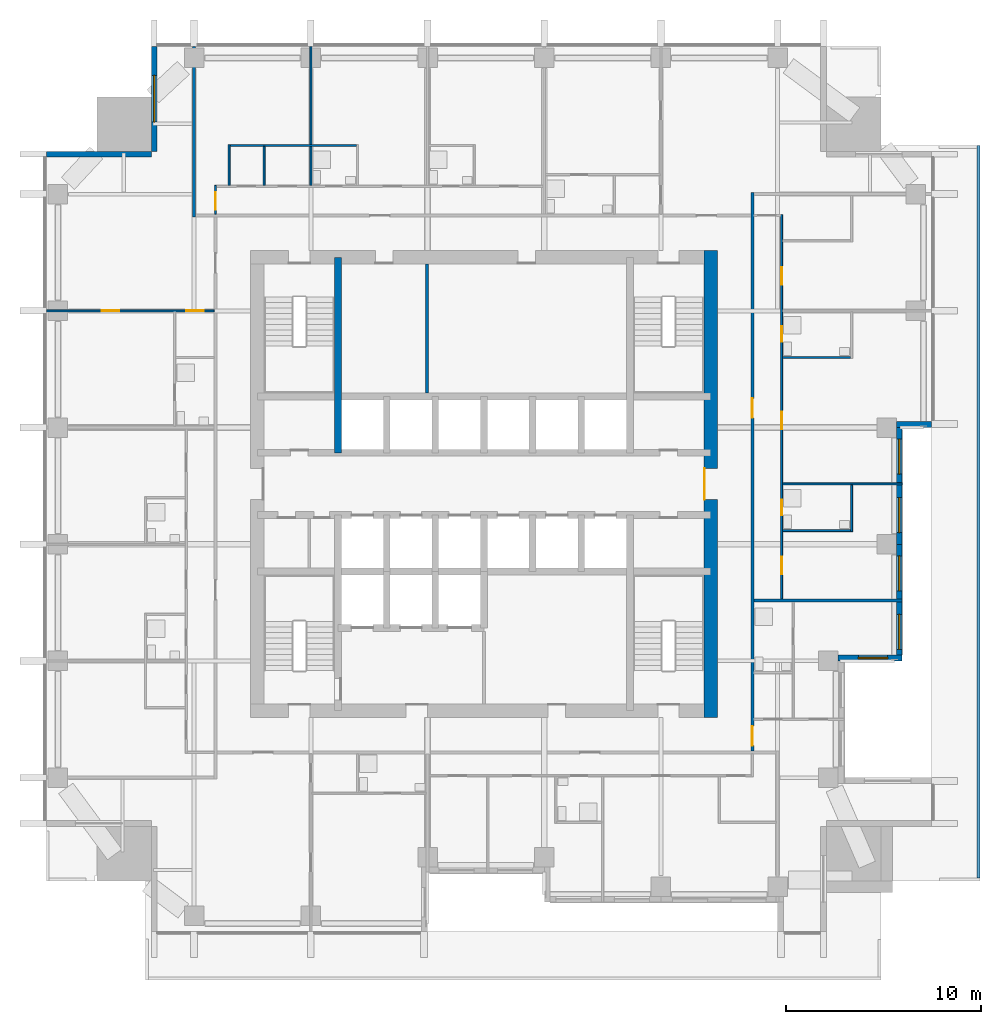
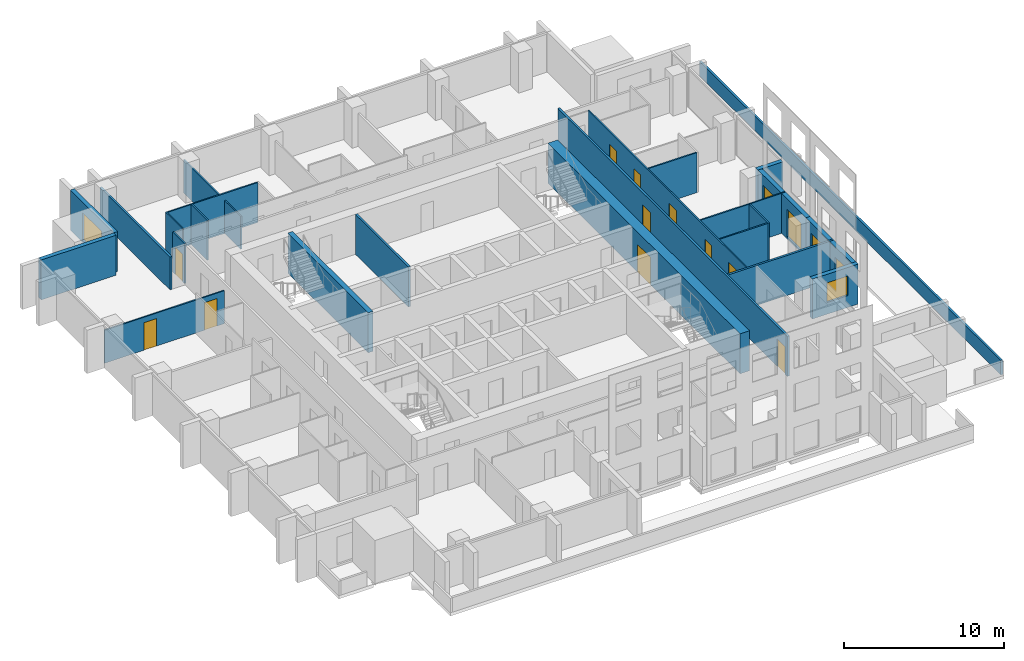
# One storey, part 7 of 14: 24 walls, 11 doors, 6 windows, 17 openings.
"""IFC4 building model written with IfcOpenShell, lengths in metres."""

from ifc_helpers import new_model, si_unit, direction, frame, frame_2d, origin, place, context, subcontext, project, spatial, rectangle, extrude, material, layer, layer_set, type_object, element, fill, save


model = new_model("IFC4")

# Units and contexts
model_context = context("Model", 3, precision=1e-05, world=origin(), true_north=direction((0.0, 1.0)))
body_context = subcontext(model_context, "Body", "Model", "MODEL_VIEW")
ifc_project = project(units=[si_unit("LENGTHUNIT", "METRE"), si_unit("AREAUNIT", "SQUARE_METRE"), si_unit("VOLUMEUNIT", "CUBIC_METRE"), si_unit("PLANEANGLEUNIT", "RADIAN"), si_unit("MASSUNIT", "GRAM", prefix="KILO")], contexts=[model_context])

# Site, building, storey
site_placement = place(None, origin())
site = spatial("IfcSite", under=ifc_project, at=site_placement, CompositionType="ELEMENT")
building_placement = place(site_placement, origin())
building = spatial("IfcBuilding", under=site, at=building_placement, Name="Amberfall Residences", CompositionType="ELEMENT")
storey_placement = place(building_placement, frame((0.0, 0.0, 133.89990234375)))
storey = spatial("IfcBuildingStorey", under=building, at=storey_placement, Name="L35", CompositionType="ELEMENT", Elevation=133.89990234375)

# Wall, opening, window
ifc_material_1 = material(Name="Pale stone cladding on insulated backing", Category="masonry")
ifc_layer_1 = layer(ifc_material_1, 0.300048828125)
ifc_layer_set_1 = layer_set([ifc_layer_1], Name="Bronze clad wall 300")
wall_type_1 = type_object("IfcWallType", Name="Bronze clad wall 300", PredefinedType="SOLIDWALL", material=ifc_layer_set_1)
wall_1_placement = place(storey_placement, frame((92.699951171875, 36.550048828125, 0.0), z_axis=(0.0, 0.0, 1.0), x_axis=(1.0, 0.0, 0.0)))
wall_1 = element("IfcWall", 1, at=wall_1_placement, inside=storey, type_object=wall_type_1, Name="External wall L35 E", PredefinedType="SOLIDWALL", context=body_context, shape_type="SweptSolid", body=[
    extrude(rectangle(XDim=3.300048828125, YDim=0.300048828125, at=frame_2d((1.64990234375, 0.0))), origin(), (0.0, 0.0, 1.0), 3.050048828125),
])
opening_1_placement = place(wall_1_placement, frame((1.050048828125, 0.0, 0.89990234375)))
opening_1 = element("IfcOpeningElement", 2, at=opening_1_placement, cuts=wall_1, Name="Opening WN1", PredefinedType="OPENING", context=body_context, shape_type="SweptSolid", body=[
    extrude(rectangle(XDim=1.5, YDim=1.5, at=frame_2d((0.75, 0.75))), frame((0.0, 0.159912109375, 0.0), z_axis=(0.0, -1.0, 0.0), x_axis=(1.0, 0.0, 0.0)), (0.0, 0.0, 1.0), 0.320068359375),
])
ifc_material_2 = material(Name="Bronze aluminium framed glazing", Category="aluminium")
window_type_1 = type_object("IfcWindowType", Name="Window 1500 x 1500 bronze", PartitioningType="DOUBLE_PANEL_VERTICAL", PredefinedType="WINDOW", material=ifc_material_2)
window_1_placement = place(opening_1_placement, origin())
window_1 = element("IfcWindow", 3, at=window_1_placement, inside=storey, type_object=window_type_1, Name="Window L35 E", OverallHeight=1.5, OverallWidth=1.5, PartitioningType="DOUBLE_PANEL_VERTICAL", PredefinedType="WINDOW", context=body_context, shape_type="SweptSolid", body=[
    extrude(rectangle(XDim=1.5, YDim=1.5, at=frame_2d((0.75, 0.75))), frame((0.0, 0.030029296875, 0.0), z_axis=(0.0, -1.0, 0.0), x_axis=(1.0, 0.0, 0.0)), (0.0, 0.0, 1.0), 0.06005859375),
])
fill(opening_1, window_1)

# Wall
wall_2_placement = place(storey_placement, frame((95.699951171875, 48.550048828125, 0.0), z_axis=(0.0, 0.0, 1.0), x_axis=(1.0, 0.0, 0.0)))
element("IfcWall", 4, at=wall_2_placement, inside=storey, type_object=wall_type_1, Name="External wall L35 E", PredefinedType="SOLIDWALL", context=body_context, shape_type="SweptSolid", body=[
    extrude(rectangle(XDim=1.800048828125, YDim=0.300048828125, at=frame_2d((0.89990234375, 0.0))), origin(), (0.0, 0.0, 1.0), 3.050048828125),
])

# Wall, opening, window
wall_3_placement = place(storey_placement, frame((57.550048828125, 68.0, 0.0), z_axis=(0.0, 0.0, 1.0), x_axis=(0.0, -1.0, 0.0)))
wall_3 = element("IfcWall", 5, at=wall_3_placement, inside=storey, type_object=wall_type_1, Name="External wall L35 NW", PredefinedType="SOLIDWALL", context=body_context, shape_type="SweptSolid", body=[
    extrude(rectangle(XDim=5.39990234375, YDim=0.300048828125, at=frame_2d((2.699951171875, 0.0))), origin(), (0.0, 0.0, 1.0), 3.050048828125),
])
opening_2_placement = place(wall_3_placement, frame((1.5, 0.0, 0.14990234375)))
opening_2 = element("IfcOpeningElement", 6, at=opening_2_placement, cuts=wall_3, Name="Opening WN5", PredefinedType="OPENING", context=body_context, shape_type="SweptSolid", body=[
    extrude(rectangle(XDim=2.39990234375, YDim=2.10009765625, at=frame_2d((1.199951171875, 1.050048828125))), frame((0.0, 0.159912109375, 0.0), z_axis=(0.0, -1.0, 0.0), x_axis=(1.0, 0.0, 0.0)), (0.0, 0.0, 1.0), 0.320068359375),
])
window_type_2 = type_object("IfcWindowType", Name="Glazed opening 2400 x 2100 bronze", PartitioningType="DOUBLE_PANEL_VERTICAL", PredefinedType="WINDOW", material=ifc_material_2)
window_2_placement = place(opening_2_placement, origin())
window_2 = element("IfcWindow", 7, at=window_2_placement, inside=storey, type_object=window_type_2, Name="Window L35 NW", OverallHeight=2.10009765625, OverallWidth=2.39990234375, PartitioningType="DOUBLE_PANEL_VERTICAL", PredefinedType="WINDOW", context=body_context, shape_type="SweptSolid", body=[
    extrude(rectangle(XDim=2.39990234375, YDim=2.10009765625, at=frame_2d((1.199951171875, 1.050048828125))), frame((0.0, 0.030029296875, 0.0), z_axis=(0.0, -1.0, 0.0), x_axis=(1.0, 0.0, 0.0)), (0.0, 0.0, 1.0), 0.06005859375),
])
fill(opening_2, window_2)

# Wall
wall_4_placement = place(storey_placement, frame((57.39990234375, 62.449951171875, 0.0), z_axis=(0.0, 0.0, 1.0), x_axis=(-1.0, 0.0, 0.0)))
element("IfcWall", 8, at=wall_4_placement, inside=storey, type_object=wall_type_1, Name="External wall L35 NW", PredefinedType="SOLIDWALL", context=body_context, shape_type="SweptSolid", body=[
    extrude(rectangle(XDim=5.39990234375, YDim=0.300048828125, at=frame_2d((2.699951171875, 0.0))), origin(), (0.0, 0.0, 1.0), 3.050048828125),
])

# Wall, openings, windows
wall_5_placement = place(storey_placement, frame((95.85009765625, 36.699951171875, 0.0), z_axis=(0.0, 0.0, 1.0), x_axis=(0.0, 1.0, 0.0)))
wall_5 = element("IfcWall", 9, at=wall_5_placement, inside=storey, type_object=wall_type_1, Name="Stone wall L35 E", PredefinedType="SOLIDWALL", context=body_context, shape_type="SweptSolid", body=[
    extrude(rectangle(XDim=5.699951171875, YDim=0.300048828125, at=frame_2d((2.85009765625, 0.0))), origin(), (0.0, 0.0, 1.0), 3.050048828125),
])
opening_3_placement = place(wall_5_placement, frame((0.300048828125, 0.0, 0.14990234375)))
opening_3 = element("IfcOpeningElement", 10, at=opening_3_placement, cuts=wall_5, Name="Opening WN6", PredefinedType="OPENING", context=body_context, shape_type="SweptSolid", body=[
    extrude(rectangle(XDim=1.800048828125, YDim=2.10009765625, at=frame_2d((0.89990234375, 1.050048828125))), frame((0.0, 0.159912109375, 0.0), z_axis=(0.0, -1.0, 0.0), x_axis=(1.0, 0.0, 0.0)), (0.0, 0.0, 1.0), 0.320068359375),
])
opening_4_placement = place(wall_5_placement, frame((3.300048828125, 0.0, 0.14990234375)))
opening_4 = element("IfcOpeningElement", 11, at=opening_4_placement, cuts=wall_5, Name="Opening WN6", PredefinedType="OPENING", context=body_context, shape_type="SweptSolid", body=[
    extrude(rectangle(XDim=1.800048828125, YDim=2.10009765625, at=frame_2d((0.89990234375, 1.050048828125))), frame((0.0, 0.159912109375, 0.0), z_axis=(0.0, -1.0, 0.0), x_axis=(1.0, 0.0, 0.0)), (0.0, 0.0, 1.0), 0.320068359375),
])
window_type_3 = type_object("IfcWindowType", Name="Glazed opening 1800 x 2100 bronze", PartitioningType="DOUBLE_PANEL_VERTICAL", PredefinedType="WINDOW", material=ifc_material_2)
window_3_placement = place(opening_3_placement, origin())
window_3 = element("IfcWindow", 12, at=window_3_placement, inside=storey, type_object=window_type_3, Name="Window L35 E", OverallHeight=2.10009765625, OverallWidth=1.800048828125, PartitioningType="DOUBLE_PANEL_VERTICAL", PredefinedType="WINDOW", context=body_context, shape_type="SweptSolid", body=[
    extrude(rectangle(XDim=1.800048828125, YDim=2.10009765625, at=frame_2d((0.89990234375, 1.050048828125))), frame((0.0, 0.030029296875, 0.0), z_axis=(0.0, -1.0, 0.0), x_axis=(1.0, 0.0, 0.0)), (0.0, 0.0, 1.0), 0.06005859375),
])
fill(opening_3, window_3)
window_4_placement = place(opening_4_placement, origin())
window_4 = element("IfcWindow", 13, at=window_4_placement, inside=storey, type_object=window_type_3, Name="Window L35 E", OverallHeight=2.10009765625, OverallWidth=1.800048828125, PartitioningType="DOUBLE_PANEL_VERTICAL", PredefinedType="WINDOW", context=body_context, shape_type="SweptSolid", body=[
    extrude(rectangle(XDim=1.800048828125, YDim=2.10009765625, at=frame_2d((0.89990234375, 1.050048828125))), frame((0.0, 0.030029296875, 0.0), z_axis=(0.0, -1.0, 0.0), x_axis=(1.0, 0.0, 0.0)), (0.0, 0.0, 1.0), 0.06005859375),
])
fill(opening_4, window_4)

wall_6_placement = place(storey_placement, frame((95.85009765625, 42.39990234375, 0.0), z_axis=(0.0, 0.0, 1.0), x_axis=(0.0, 1.0, 0.0)))
wall_6 = element("IfcWall", 14, at=wall_6_placement, inside=storey, type_object=wall_type_1, Name="Stone wall L35 E", PredefinedType="SOLIDWALL", context=body_context, shape_type="SweptSolid", body=[
    extrude(rectangle(XDim=6.0, YDim=0.300048828125, at=frame_2d((3.0, 0.0))), origin(), (0.0, 0.0, 1.0), 3.050048828125),
])
opening_5_placement = place(wall_6_placement, frame((0.60009765625, 0.0, 0.14990234375)))
opening_5 = element("IfcOpeningElement", 15, at=opening_5_placement, cuts=wall_6, Name="Opening WN6", PredefinedType="OPENING", context=body_context, shape_type="SweptSolid", body=[
    extrude(rectangle(XDim=1.800048828125, YDim=2.10009765625, at=frame_2d((0.89990234375, 1.050048828125))), frame((0.0, 0.159912109375, 0.0), z_axis=(0.0, -1.0, 0.0), x_axis=(1.0, 0.0, 0.0)), (0.0, 0.0, 1.0), 0.320068359375),
])
opening_6_placement = place(wall_6_placement, frame((3.60009765625, 0.0, 0.14990234375)))
opening_6 = element("IfcOpeningElement", 16, at=opening_6_placement, cuts=wall_6, Name="Opening WN6", PredefinedType="OPENING", context=body_context, shape_type="SweptSolid", body=[
    extrude(rectangle(XDim=1.800048828125, YDim=2.10009765625, at=frame_2d((0.89990234375, 1.050048828125))), frame((0.0, 0.159912109375, 0.0), z_axis=(0.0, -1.0, 0.0), x_axis=(1.0, 0.0, 0.0)), (0.0, 0.0, 1.0), 0.320068359375),
])
window_5_placement = place(opening_5_placement, origin())
window_5 = element("IfcWindow", 17, at=window_5_placement, inside=storey, type_object=window_type_3, Name="Window L35 E", OverallHeight=2.10009765625, OverallWidth=1.800048828125, PartitioningType="DOUBLE_PANEL_VERTICAL", PredefinedType="WINDOW", context=body_context, shape_type="SweptSolid", body=[
    extrude(rectangle(XDim=1.800048828125, YDim=2.10009765625, at=frame_2d((0.89990234375, 1.050048828125))), frame((0.0, 0.030029296875, 0.0), z_axis=(0.0, -1.0, 0.0), x_axis=(1.0, 0.0, 0.0)), (0.0, 0.0, 1.0), 0.06005859375),
])
fill(opening_5, window_5)
window_6_placement = place(opening_6_placement, origin())
window_6 = element("IfcWindow", 18, at=window_6_placement, inside=storey, type_object=window_type_3, Name="Window L35 E", OverallHeight=2.10009765625, OverallWidth=1.800048828125, PartitioningType="DOUBLE_PANEL_VERTICAL", PredefinedType="WINDOW", context=body_context, shape_type="SweptSolid", body=[
    extrude(rectangle(XDim=1.800048828125, YDim=2.10009765625, at=frame_2d((0.89990234375, 1.050048828125))), frame((0.0, 0.030029296875, 0.0), z_axis=(0.0, -1.0, 0.0), x_axis=(1.0, 0.0, 0.0)), (0.0, 0.0, 1.0), 0.06005859375),
])
fill(opening_6, window_6)

# Wall
ifc_material_3 = material(Name="Concrete C60", Category="concrete")
ifc_layer_2 = layer(ifc_material_3, 0.35009765625)
ifc_layer_set_2 = layer_set([ifc_layer_2], Name="Core wall 350 C60")
wall_type_2 = type_object("IfcWallType", Name="Core wall 350 C60", PredefinedType="SHEAR", material=ifc_layer_set_2)
wall_7_placement = place(storey_placement, frame((67.0, 47.10009765625, 0.0), z_axis=(0.0, 0.0, 1.0), x_axis=(0.0, 1.0, 0.0)))
element("IfcWall", 19, at=wall_7_placement, inside=storey, type_object=wall_type_2, Name="Core wall RW6 L35 V45N", PredefinedType="SHEAR", context=body_context, shape_type="SweptSolid", body=[
    extrude(rectangle(XDim=10.0498046875, YDim=0.35009765625, at=frame_2d((5.02490234375, 0.0))), origin(), (0.0, 0.0, 1.0), 3.050048828125),
])

# Wall, opening, door
ifc_layer_3 = layer(ifc_material_3, 0.699951171875)
ifc_layer_set_3 = layer_set([ifc_layer_3], Name="Core wall 700 C60")
wall_type_3 = type_object("IfcWallType", Name="Core wall 700 C60", PredefinedType="SHEAR", material=ifc_layer_set_3)
wall_8_placement = place(storey_placement, frame((86.14990234375, 33.5, 0.0), z_axis=(0.0, 0.0, 1.0), x_axis=(0.0, 1.0, 0.0)))
wall_8 = element("IfcWall", 20, at=wall_8_placement, inside=storey, type_object=wall_type_3, Name="Core wall RW5 L35 OE", PredefinedType="SHEAR", context=body_context, shape_type="SweptSolid", body=[
    extrude(rectangle(XDim=24.0, YDim=0.699951171875, at=frame_2d((12.0, 0.0))), origin(), (0.0, 0.0, 1.0), 3.050048828125),
])
opening_7_placement = place(wall_8_placement, frame((11.199951171875, 0.0, 0.0)))
opening_7 = element("IfcOpeningElement", 21, at=opening_7_placement, cuts=wall_8, Name="Opening LB1", PredefinedType="OPENING", context=body_context, shape_type="SweptSolid", body=[
    extrude(rectangle(XDim=1.60009765625, YDim=2.10009765625, at=frame_2d((0.800048828125, 1.050048828125))), frame((0.0, 0.35986328125, 0.0), z_axis=(0.0, -1.0, 0.0), x_axis=(1.0, 0.0, 0.0)), (0.0, 0.0, 1.0), 0.719970703125),
])
ifc_material_4 = material(Name="Steel fire door set", Category="steel")
door_type_1 = type_object("IfcDoorType", Name="Lift lobby double door 1600 x 2100", OperationType="DOUBLE_DOOR_SINGLE_SWING", PredefinedType="DOOR", material=ifc_material_4)
door_1_placement = place(opening_7_placement, origin())
door_1 = element("IfcDoor", 22, at=door_1_placement, inside=storey, type_object=door_type_1, Name="LB1 L35", OperationType="DOUBLE_DOOR_SINGLE_SWING", OverallHeight=2.10009765625, OverallWidth=1.60009765625, PredefinedType="DOOR", context=body_context, shape_type="SweptSolid", body=[
    extrude(rectangle(XDim=1.60009765625, YDim=2.10009765625, at=frame_2d((0.800048828125, 1.050048828125))), frame((0.0, 0.33740234375, 0.0), z_axis=(0.0, -1.0, 0.0), x_axis=(1.0, 0.0, 0.0)), (0.0, 0.0, 1.0), 0.050048828125),
])
fill(opening_7, door_1)

ifc_material_5 = material(Name="Gypsum board on metal stud")
ifc_layer_4 = layer(ifc_material_5, 0.10009765625)
ifc_layer_set_4 = layer_set([ifc_layer_4], Name="Flat partition 100")
wall_type_4 = type_object("IfcWallType", Name="Flat partition 100", PredefinedType="PARTITIONING", material=ifc_layer_set_4)
wall_9_placement = place(storey_placement, frame((60.699951171875, 60.85009765625, 0.0), z_axis=(0.0, 0.0, 1.0), x_axis=(0.0, -1.0, 0.0)))
wall_9 = element("IfcWall", 23, at=wall_9_placement, inside=storey, type_object=wall_type_4, Name="Partition 005", PredefinedType="PARTITIONING", context=body_context, shape_type="SweptSolid", body=[
    extrude(rectangle(XDim=1.47509765625, YDim=0.10009765625, at=frame_2d((0.737548828125, 0.0))), origin(), (0.0, 0.0, 1.0), 3.050048828125),
])
opening_8_placement = place(wall_9_placement, frame((0.35009765625, 0.0, 0.0)))
opening_8 = element("IfcOpeningElement", 24, at=opening_8_placement, cuts=wall_9, Name="Opening D41", PredefinedType="OPENING", context=body_context, shape_type="SweptSolid", body=[
    extrude(rectangle(XDim=0.89990234375, YDim=2.10009765625, at=frame_2d((0.449951171875, 1.050048828125))), frame((0.0, 0.06005859375, 0.0), z_axis=(0.0, -1.0, 0.0), x_axis=(1.0, 0.0, 0.0)), (0.0, 0.0, 1.0), 0.1201171875),
])
ifc_material_6 = material(Name="Timber", Category="wood")
door_type_2 = type_object("IfcDoorType", Name="Internal door 900 x 2100", OperationType="SINGLE_SWING_LEFT", PredefinedType="DOOR", material=ifc_material_6)
door_2_placement = place(opening_8_placement, origin())
door_2 = element("IfcDoor", 25, at=door_2_placement, inside=storey, type_object=door_type_2, Name="Door 3505 living", OperationType="SINGLE_SWING_LEFT", OverallHeight=2.10009765625, OverallWidth=0.89990234375, PredefinedType="DOOR", context=body_context, shape_type="SweptSolid", body=[
    extrude(rectangle(XDim=0.89990234375, YDim=2.10009765625, at=frame_2d((0.449951171875, 1.050048828125))), frame((0.0, 0.02490234375, 0.0), z_axis=(0.0, -1.0, 0.0), x_axis=(1.0, 0.0, 0.0)), (0.0, 0.0, 1.0), 0.050048828125),
])
fill(opening_8, door_2)

# Walls
wall_10_placement = place(storey_placement, frame((61.39990234375, 60.85009765625, 0.0), z_axis=(0.0, 0.0, 1.0), x_axis=(0.0, 1.0, 0.0)))
element("IfcWall", 26, at=wall_10_placement, inside=storey, type_object=wall_type_4, Name="Partition 006", PredefinedType="PARTITIONING", context=body_context, shape_type="SweptSolid", body=[
    extrude(rectangle(XDim=2.099853515625, YDim=0.10009765625, at=frame_2d((1.0498046875, 0.0))), origin(), (0.0, 0.0, 1.0), 3.050048828125),
])
wall_11_placement = place(storey_placement, frame((63.199951171875, 60.85009765625, 0.0), z_axis=(0.0, 0.0, 1.0), x_axis=(0.0, 1.0, 0.0)))
element("IfcWall", 27, at=wall_11_placement, inside=storey, type_object=wall_type_4, Name="Partition 007", PredefinedType="PARTITIONING", context=body_context, shape_type="SweptSolid", body=[
    extrude(rectangle(XDim=2.0, YDim=0.10009765625, at=frame_2d((1.0, 0.0))), origin(), (0.0, 0.0, 1.0), 3.050048828125),
])
wall_12_placement = place(storey_placement, frame((65.60009765625, 60.85009765625, 0.0), z_axis=(0.0, 0.0, 1.0), x_axis=(0.0, 1.0, 0.0)))
element("IfcWall", 28, at=wall_12_placement, inside=storey, type_object=wall_type_4, Name="Partition 009", PredefinedType="PARTITIONING", context=body_context, shape_type="SweptSolid", body=[
    extrude(rectangle(XDim=7.14990234375, YDim=0.10009765625, at=frame_2d((3.574951171875, 0.0))), origin(), (0.0, 0.0, 1.0), 2.51611328125),
])

# Wall, openings, doors
wall_13_placement = place(storey_placement, frame((89.800048828125, 59.35009765625, 0.0), z_axis=(0.0, 0.0, 1.0), x_axis=(0.0, -1.0, 0.0)))
wall_13 = element("IfcWall", 29, at=wall_13_placement, inside=storey, type_object=wall_type_4, Name="Partition 021", PredefinedType="PARTITIONING", context=body_context, shape_type="SweptSolid", body=[
    extrude(rectangle(XDim=19.775146484375, YDim=0.10009765625, at=frame_2d((9.8876953125, 0.0))), origin(), (0.0, 0.0, 1.0), 3.050048828125),
])
opening_9_placement = place(wall_13_placement, frame((2.699951171875, 0.0, 0.0)))
opening_9 = element("IfcOpeningElement", 30, at=opening_9_placement, cuts=wall_13, Name="Opening D41", PredefinedType="OPENING", context=body_context, shape_type="SweptSolid", body=[
    extrude(rectangle(XDim=0.89990234375, YDim=2.10009765625, at=frame_2d((0.449951171875, 1.050048828125))), frame((0.0, 0.06005859375, 0.0), z_axis=(0.0, -1.0, 0.0), x_axis=(1.0, 0.0, 0.0)), (0.0, 0.0, 1.0), 0.1201171875),
])
opening_10_placement = place(wall_13_placement, frame((17.60009765625, 0.0, 0.0)))
opening_10 = element("IfcOpeningElement", 31, at=opening_10_placement, cuts=wall_13, Name="Opening D41", PredefinedType="OPENING", context=body_context, shape_type="SweptSolid", body=[
    extrude(rectangle(XDim=0.89990234375, YDim=2.10009765625, at=frame_2d((0.449951171875, 1.050048828125))), frame((0.0, 0.06005859375, 0.0), z_axis=(0.0, -1.0, 0.0), x_axis=(1.0, 0.0, 0.0)), (0.0, 0.0, 1.0), 0.1201171875),
])
opening_11_placement = place(wall_13_placement, frame((10.14990234375, 0.0, 0.0)))
opening_11 = element("IfcOpeningElement", 32, at=opening_11_placement, cuts=wall_13, Name="Opening D41", PredefinedType="OPENING", context=body_context, shape_type="SweptSolid", body=[
    extrude(rectangle(XDim=0.89990234375, YDim=2.10009765625, at=frame_2d((0.449951171875, 1.050048828125))), frame((0.0, 0.06005859375, 0.0), z_axis=(0.0, -1.0, 0.0), x_axis=(1.0, 0.0, 0.0)), (0.0, 0.0, 1.0), 0.1201171875),
])
opening_12_placement = place(wall_13_placement, frame((14.64990234375, 0.0, 0.0)))
opening_12 = element("IfcOpeningElement", 33, at=opening_12_placement, cuts=wall_13, Name="Opening D42", PredefinedType="OPENING", context=body_context, shape_type="SweptSolid", body=[
    extrude(rectangle(XDim=0.800048828125, YDim=2.10009765625, at=frame_2d((0.39990234375, 1.050048828125))), frame((0.0, 0.06005859375, 0.0), z_axis=(0.0, -1.0, 0.0), x_axis=(1.0, 0.0, 0.0)), (0.0, 0.0, 1.0), 0.1201171875),
])
opening_13_placement = place(wall_13_placement, frame((5.75, 0.0, 0.0)))
opening_13 = element("IfcOpeningElement", 34, at=opening_13_placement, cuts=wall_13, Name="Opening D42", PredefinedType="OPENING", context=body_context, shape_type="SweptSolid", body=[
    extrude(rectangle(XDim=0.800048828125, YDim=2.10009765625, at=frame_2d((0.39990234375, 1.050048828125))), frame((0.0, 0.06005859375, 0.0), z_axis=(0.0, -1.0, 0.0), x_axis=(1.0, 0.0, 0.0)), (0.0, 0.0, 1.0), 0.1201171875),
])
door_type_3 = type_object("IfcDoorType", Name="Bathroom door 800 x 2100", OperationType="SINGLE_SWING_LEFT", PredefinedType="DOOR", material=ifc_material_6)
door_3_placement = place(opening_12_placement, origin())
door_3 = element("IfcDoor", 35, at=door_3_placement, inside=storey, type_object=door_type_3, Name="Door 3504 bath1", OperationType="SINGLE_SWING_LEFT", OverallHeight=2.10009765625, OverallWidth=0.800048828125, PredefinedType="DOOR", context=body_context, shape_type="SweptSolid", body=[
    extrude(rectangle(XDim=0.800048828125, YDim=2.10009765625, at=frame_2d((0.39990234375, 1.050048828125))), frame((0.0, 0.02490234375, 0.0), z_axis=(0.0, -1.0, 0.0), x_axis=(1.0, 0.0, 0.0)), (0.0, 0.0, 1.0), 0.050048828125),
])
fill(opening_12, door_3)
door_4_placement = place(opening_13_placement, origin())
door_4 = element("IfcDoor", 36, at=door_4_placement, inside=storey, type_object=door_type_3, Name="Door 3504 bath2", OperationType="SINGLE_SWING_LEFT", OverallHeight=2.10009765625, OverallWidth=0.800048828125, PredefinedType="DOOR", context=body_context, shape_type="SweptSolid", body=[
    extrude(rectangle(XDim=0.800048828125, YDim=2.10009765625, at=frame_2d((0.39990234375, 1.050048828125))), frame((0.0, 0.02490234375, 0.0), z_axis=(0.0, -1.0, 0.0), x_axis=(1.0, 0.0, 0.0)), (0.0, 0.0, 1.0), 0.050048828125),
])
fill(opening_13, door_4)
door_5_placement = place(opening_9_placement, origin())
door_5 = element("IfcDoor", 37, at=door_5_placement, inside=storey, type_object=door_type_2, Name="Door 3504 living", OperationType="SINGLE_SWING_LEFT", OverallHeight=2.10009765625, OverallWidth=0.89990234375, PredefinedType="DOOR", context=body_context, shape_type="SweptSolid", body=[
    extrude(rectangle(XDim=0.89990234375, YDim=2.10009765625, at=frame_2d((0.449951171875, 1.050048828125))), frame((0.0, 0.02490234375, 0.0), z_axis=(0.0, -1.0, 0.0), x_axis=(1.0, 0.0, 0.0)), (0.0, 0.0, 1.0), 0.050048828125),
])
fill(opening_9, door_5)
door_6_placement = place(opening_10_placement, origin())
door_6 = element("IfcDoor", 38, at=door_6_placement, inside=storey, type_object=door_type_2, Name="Door 3504 bedroom1", OperationType="SINGLE_SWING_LEFT", OverallHeight=2.10009765625, OverallWidth=0.89990234375, PredefinedType="DOOR", context=body_context, shape_type="SweptSolid", body=[
    extrude(rectangle(XDim=0.89990234375, YDim=2.10009765625, at=frame_2d((0.449951171875, 1.050048828125))), frame((0.0, 0.02490234375, 0.0), z_axis=(0.0, -1.0, 0.0), x_axis=(1.0, 0.0, 0.0)), (0.0, 0.0, 1.0), 0.050048828125),
])
fill(opening_10, door_6)
door_7_placement = place(opening_11_placement, origin())
door_7 = element("IfcDoor", 39, at=door_7_placement, inside=storey, type_object=door_type_2, Name="Door 3504 bedroom2", OperationType="SINGLE_SWING_LEFT", OverallHeight=2.10009765625, OverallWidth=0.89990234375, PredefinedType="DOOR", context=body_context, shape_type="SweptSolid", body=[
    extrude(rectangle(XDim=0.89990234375, YDim=2.10009765625, at=frame_2d((0.449951171875, 1.050048828125))), frame((0.0, 0.02490234375, 0.0), z_axis=(0.0, -1.0, 0.0), x_axis=(1.0, 0.0, 0.0)), (0.0, 0.0, 1.0), 0.050048828125),
])
fill(opening_11, door_7)

# Walls
wall_14_placement = place(storey_placement, frame((93.39990234375, 43.050048828125, 0.0), z_axis=(0.0, 0.0, 1.0), x_axis=(0.0, 1.0, 0.0)))
element("IfcWall", 40, at=wall_14_placement, inside=storey, type_object=wall_type_4, Name="Partition 023", PredefinedType="PARTITIONING", context=body_context, shape_type="SweptSolid", body=[
    extrude(rectangle(XDim=2.39990234375, YDim=0.10009765625, at=frame_2d((1.199951171875, 0.0))), origin(), (0.0, 0.0, 1.0), 3.050048828125),
])
wall_15_placement = place(storey_placement, frame((61.449951171875, 62.89990234375, 0.0), z_axis=(0.0, 0.0, 1.0), x_axis=(1.0, 0.0, 0.0)))
element("IfcWall", 41, at=wall_15_placement, inside=storey, type_object=wall_type_4, Name="Partition 026", PredefinedType="PARTITIONING", context=body_context, shape_type="SweptSolid", body=[
    extrude(rectangle(XDim=6.5, YDim=0.10009765625, at=frame_2d((3.25, 0.0))), origin(), (0.0, 0.0, 1.0), 3.050048828125),
])

# Wall, openings, doors
wall_16_placement = place(storey_placement, frame((60.625, 54.39990234375, 0.0), z_axis=(0.0, 0.0, 1.0), x_axis=(-1.0, 0.0, 0.0)))
wall_16 = element("IfcWall", 42, at=wall_16_placement, inside=storey, type_object=wall_type_4, Name="Partition 032", PredefinedType="PARTITIONING", context=body_context, shape_type="SweptSolid", body=[
    extrude(rectangle(XDim=8.625, YDim=0.10009765625, at=frame_2d((4.3125, 0.0))), origin(), (0.0, 0.0, 1.0), 2.51611328125),
])
opening_14_placement = place(wall_16_placement, frame((0.52490234375, 0.0, 0.0)))
opening_14 = element("IfcOpeningElement", 43, at=opening_14_placement, cuts=wall_16, Name="Opening D41", PredefinedType="OPENING", context=body_context, shape_type="SweptSolid", body=[
    extrude(rectangle(XDim=0.89990234375, YDim=2.10009765625, at=frame_2d((0.449951171875, 1.050048828125))), frame((0.0, 0.06005859375, 0.0), z_axis=(0.0, -1.0, 0.0), x_axis=(1.0, 0.0, 0.0)), (0.0, 0.0, 1.0), 0.1201171875),
])
opening_15_placement = place(wall_16_placement, frame((4.875, 0.0, 0.0)))
opening_15 = element("IfcOpeningElement", 44, at=opening_15_placement, cuts=wall_16, Name="Opening D41", PredefinedType="OPENING", context=body_context, shape_type="SweptSolid", body=[
    extrude(rectangle(XDim=0.89990234375, YDim=2.10009765625, at=frame_2d((0.449951171875, 1.050048828125))), frame((0.0, 0.06005859375, 0.0), z_axis=(0.0, -1.0, 0.0), x_axis=(1.0, 0.0, 0.0)), (0.0, 0.0, 1.0), 0.1201171875),
])
door_8_placement = place(opening_14_placement, origin())
door_8 = element("IfcDoor", 45, at=door_8_placement, inside=storey, type_object=door_type_2, Name="Door 3508 kitchen", OperationType="SINGLE_SWING_LEFT", OverallHeight=2.10009765625, OverallWidth=0.89990234375, PredefinedType="DOOR", context=body_context, shape_type="SweptSolid", body=[
    extrude(rectangle(XDim=0.89990234375, YDim=2.10009765625, at=frame_2d((0.449951171875, 1.050048828125))), frame((0.0, 0.02490234375, 0.0), z_axis=(0.0, -1.0, 0.0), x_axis=(1.0, 0.0, 0.0)), (0.0, 0.0, 1.0), 0.050048828125),
])
fill(opening_14, door_8)
door_9_placement = place(opening_15_placement, origin())
door_9 = element("IfcDoor", 46, at=door_9_placement, inside=storey, type_object=door_type_2, Name="Door 3508 bedroom1", OperationType="SINGLE_SWING_LEFT", OverallHeight=2.10009765625, OverallWidth=0.89990234375, PredefinedType="DOOR", context=body_context, shape_type="SweptSolid", body=[
    extrude(rectangle(XDim=0.89990234375, YDim=2.10009765625, at=frame_2d((0.449951171875, 1.050048828125))), frame((0.0, 0.02490234375, 0.0), z_axis=(0.0, -1.0, 0.0), x_axis=(1.0, 0.0, 0.0)), (0.0, 0.0, 1.0), 0.050048828125),
])
fill(opening_15, door_9)

# Walls
wall_17_placement = place(storey_placement, frame((89.85009765625, 52.0, 0.0), z_axis=(0.0, 0.0, 1.0), x_axis=(1.0, 0.0, 0.0)))
element("IfcWall", 47, at=wall_17_placement, inside=storey, type_object=wall_type_4, Name="Partition 035", PredefinedType="PARTITIONING", context=body_context, shape_type="SweptSolid", body=[
    extrude(rectangle(XDim=3.5, YDim=0.10009765625, at=frame_2d((1.75, 0.0))), origin(), (0.0, 0.0, 1.0), 3.050048828125),
])
wall_18_placement = place(storey_placement, frame((89.85009765625, 45.5, 0.0), z_axis=(0.0, 0.0, 1.0), x_axis=(1.0, 0.0, 0.0)))
element("IfcWall", 48, at=wall_18_placement, inside=storey, type_object=wall_type_4, Name="Partition 036", PredefinedType="PARTITIONING", context=body_context, shape_type="SweptSolid", body=[
    extrude(rectangle(XDim=6.14990234375, YDim=0.10009765625, at=frame_2d((3.074951171875, 0.0))), origin(), (0.0, 0.0, 1.0), 3.050048828125),
])
wall_19_placement = place(storey_placement, frame((89.85009765625, 43.10009765625, 0.0), z_axis=(0.0, 0.0, 1.0), x_axis=(1.0, 0.0, 0.0)))
element("IfcWall", 49, at=wall_19_placement, inside=storey, type_object=wall_type_4, Name="Partition 038", PredefinedType="PARTITIONING", context=body_context, shape_type="SweptSolid", body=[
    extrude(rectangle(XDim=3.5, YDim=0.10009765625, at=frame_2d((1.75, 0.0))), origin(), (0.0, 0.0, 1.0), 3.050048828125),
])
ifc_material_7 = material(Name="Blockwork, plastered", Category="masonry")
ifc_layer_5 = layer(ifc_material_7, 0.14990234375)
ifc_layer_set_5 = layer_set([ifc_layer_5], Name="Flat separating wall 150")
wall_type_5 = type_object("IfcWallType", Name="Flat separating wall 150", PredefinedType="PARTITIONING", material=ifc_layer_set_5)
wall_20_placement = place(storey_placement, frame((59.60009765625, 59.22509765625, 0.0), z_axis=(0.0, 0.0, 1.0), x_axis=(0.0, 1.0, 0.0)))
element("IfcWall", 50, at=wall_20_placement, inside=storey, type_object=wall_type_5, Name="Separating wall 050", PredefinedType="PARTITIONING", context=body_context, shape_type="SweptSolid", body=[
    extrude(rectangle(XDim=8.77490234375, YDim=0.14990234375, at=frame_2d((4.387451171875, 0.0))), origin(), (0.0, 0.0, 1.0), 2.510009765625),
])

# Wall, openings, doors
wall_21_placement = place(storey_placement, frame((88.300048828125, 60.47509765625, 0.0), z_axis=(0.0, 0.0, 1.0), x_axis=(0.0, -1.0, 0.0)))
wall_21 = element("IfcWall", 51, at=wall_21_placement, inside=storey, type_object=wall_type_5, Name="Separating wall 054", PredefinedType="PARTITIONING", context=body_context, shape_type="SweptSolid", body=[
    extrude(rectangle(XDim=28.7001953125, YDim=0.14990234375, at=frame_2d((14.35009765625, 0.0))), origin(), (0.0, 0.0, 1.0), 3.050048828125),
])
opening_16_placement = place(wall_21_placement, frame((27.425048828125, 0.0, 0.0)))
opening_16 = element("IfcOpeningElement", 52, at=opening_16_placement, cuts=wall_21, Name="Opening D40", PredefinedType="OPENING", context=body_context, shape_type="SweptSolid", body=[
    extrude(rectangle(XDim=1.0, YDim=2.10009765625, at=frame_2d((0.5, 1.050048828125))), frame((0.0, 0.0849609375, 0.0), z_axis=(0.0, -1.0, 0.0), x_axis=(1.0, 0.0, 0.0)), (0.0, 0.0, 1.0), 0.169921875),
])
opening_17_placement = place(wall_21_placement, frame((10.574951171875, 0.0, 0.0)))
opening_17 = element("IfcOpeningElement", 53, at=opening_17_placement, cuts=wall_21, Name="Opening D40", PredefinedType="OPENING", context=body_context, shape_type="SweptSolid", body=[
    extrude(rectangle(XDim=1.0, YDim=2.10009765625, at=frame_2d((0.5, 1.050048828125))), frame((0.0, 0.0849609375, 0.0), z_axis=(0.0, -1.0, 0.0), x_axis=(1.0, 0.0, 0.0)), (0.0, 0.0, 1.0), 0.169921875),
])
ifc_material_8 = material(Name="Timber, fire-rated", Category="wood")
door_type_4 = type_object("IfcDoorType", Name="Flat entrance door FD60 1000 x 2100", OperationType="SINGLE_SWING_LEFT", PredefinedType="DOOR", material=ifc_material_8)
door_10_placement = place(opening_16_placement, origin())
door_10 = element("IfcDoor", 54, at=door_10_placement, inside=storey, type_object=door_type_4, Name="Door 3503 entrance", OperationType="SINGLE_SWING_LEFT", OverallHeight=2.10009765625, OverallWidth=1.0, PredefinedType="DOOR", context=body_context, shape_type="SweptSolid", body=[
    extrude(rectangle(XDim=1.0, YDim=2.10009765625, at=frame_2d((0.5, 1.050048828125))), frame((0.0, 0.02490234375, 0.0), z_axis=(0.0, -1.0, 0.0), x_axis=(1.0, 0.0, 0.0)), (0.0, 0.0, 1.0), 0.050048828125),
])
fill(opening_16, door_10)
door_11_placement = place(opening_17_placement, origin())
door_11 = element("IfcDoor", 55, at=door_11_placement, inside=storey, type_object=door_type_4, Name="Door 3504 entrance", OperationType="SINGLE_SWING_LEFT", OverallHeight=2.10009765625, OverallWidth=1.0, PredefinedType="DOOR", context=body_context, shape_type="SweptSolid", body=[
    extrude(rectangle(XDim=1.0, YDim=2.10009765625, at=frame_2d((0.5, 1.050048828125))), frame((0.0, 0.02490234375, 0.0), z_axis=(0.0, -1.0, 0.0), x_axis=(1.0, 0.0, 0.0)), (0.0, 0.0, 1.0), 0.050048828125),
])
fill(opening_17, door_11)

# Walls
wall_22_placement = place(storey_placement, frame((88.375, 39.5, 0.0), z_axis=(0.0, 0.0, 1.0), x_axis=(1.0, 0.0, 0.0)))
element("IfcWall", 56, at=wall_22_placement, inside=storey, type_object=wall_type_5, Name="Separating wall 059", PredefinedType="PARTITIONING", context=body_context, shape_type="SweptSolid", body=[
    extrude(rectangle(XDim=7.625, YDim=0.14990234375, at=frame_2d((3.8125, 0.0))), origin(), (0.0, 0.0, 1.0), 3.050048828125),
])
ifc_material_9 = material(Name="Concrete C40", Category="concrete")
ifc_layer_6 = layer(ifc_material_9, 0.14990234375)
ifc_layer_set_6 = layer_set([ifc_layer_6], Name="Ledge parapet 150")
wall_type_6 = type_object("IfcWallType", Name="Ledge parapet 150", PredefinedType="PARAPET", material=ifc_layer_set_6)
wall_23_placement = place(storey_placement, frame((99.925048828125, 25.25, 0.0), z_axis=(0.0, 0.0, 1.0), x_axis=(0.0, 1.0, 0.0)))
element("IfcWall", 57, at=wall_23_placement, inside=storey, type_object=wall_type_6, Name="Roof parapet L35 3", PredefinedType="PARAPET", context=body_context, shape_type="SweptSolid", body=[
    extrude(rectangle(XDim=37.64990234375, YDim=0.14990234375, at=frame_2d((18.824951171875, 0.0))), origin(), (0.0, 0.0, 1.0), 1.10009765625),
])
ifc_material_10 = material(Name="Concrete blockwork", Category="masonry")
ifc_layer_7 = layer(ifc_material_10, 0.14990234375)
ifc_layer_set_7 = layer_set([ifc_layer_7], Name="Riser wall 150")
wall_type_7 = type_object("IfcWallType", Name="Riser wall 150", PredefinedType="PLUMBINGWALL", material=ifc_layer_set_7)
wall_24_placement = place(storey_placement, frame((71.570068359375, 50.175048828125, 0.0), z_axis=(0.0, 0.0, 1.0), x_axis=(0.0, 1.0, 0.0)))
element("IfcWall", 58, at=wall_24_placement, inside=storey, type_object=wall_type_7, Name="L35 core wall N0", PredefinedType="PLUMBINGWALL", context=body_context, shape_type="SweptSolid", body=[
    extrude(rectangle(XDim=6.625, YDim=0.14990234375, at=frame_2d((3.3125, 0.0))), origin(), (0.0, 0.0, 1.0), 3.050048828125),
])

save(model, "model.ifc")
